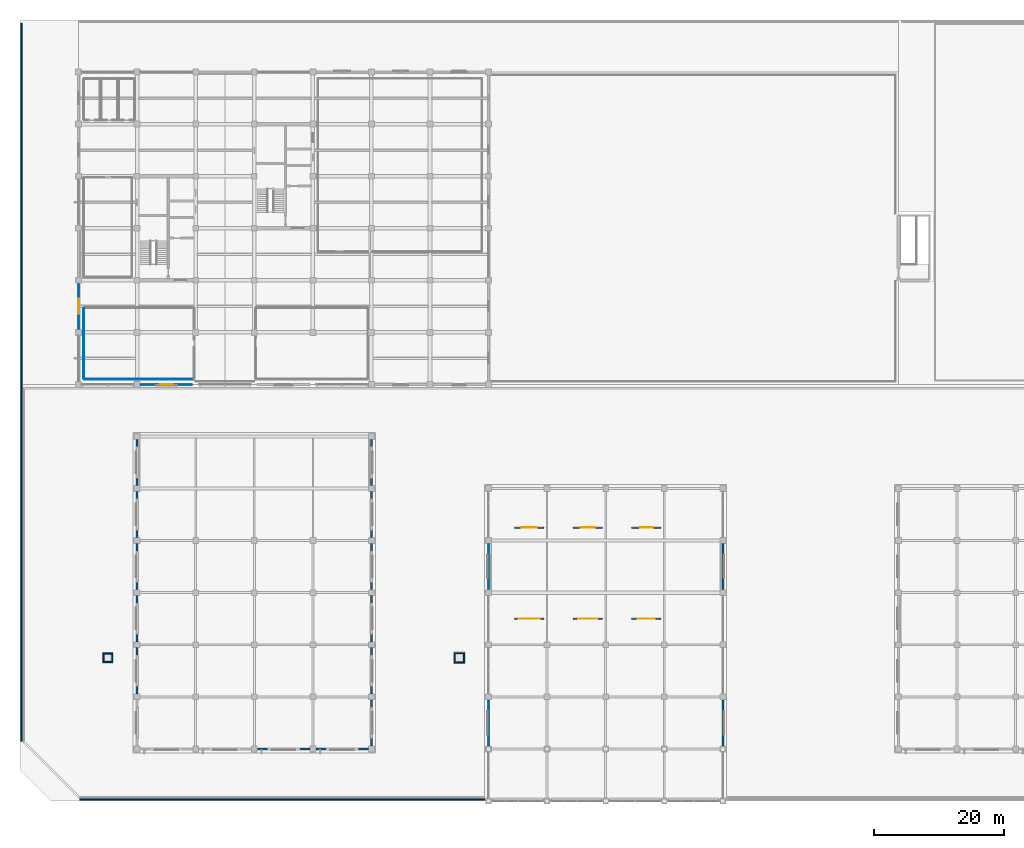
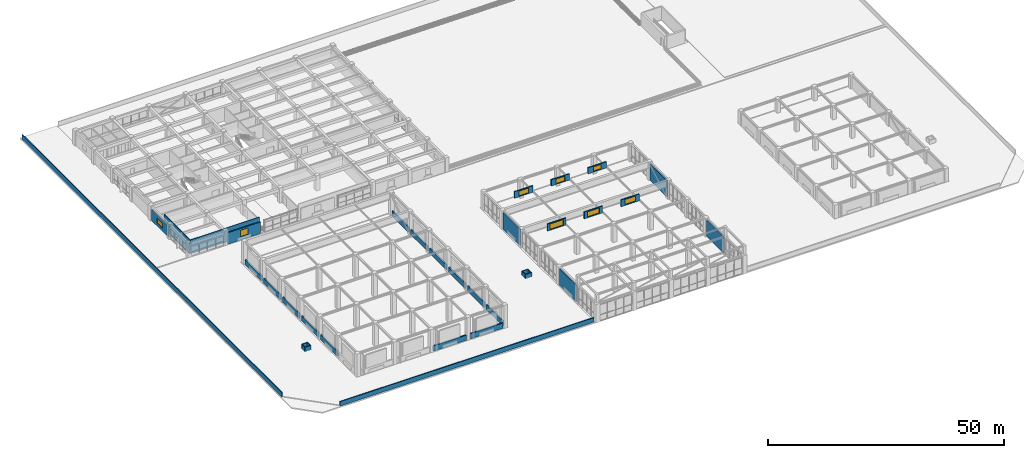
# One storey, part 19 of 34: 37 walls, 8 windows, 8 openings.
"""IFC4 building model written with IfcOpenShell, lengths in metres."""

from ifc_helpers import new_model, si_unit, direction, frame, frame_2d, origin, place, context, subcontext, project, spatial, rectangle, extrude, material, layer, layer_set, type_object, element, fill, save


model = new_model("IFC4")

# Units and contexts
model_context = context("Model", 3, precision=1e-05, world=origin(), true_north=direction((0.0, 1.0)))
body_context = subcontext(model_context, "Body", "Model", "MODEL_VIEW")
ifc_project = project(units=[si_unit("LENGTHUNIT", "METRE"), si_unit("AREAUNIT", "SQUARE_METRE"), si_unit("VOLUMEUNIT", "CUBIC_METRE"), si_unit("PLANEANGLEUNIT", "RADIAN"), si_unit("MASSUNIT", "GRAM", prefix="KILO")], contexts=[model_context])

# Site, building, storey
site_placement = place(None, origin())
site = spatial("IfcSite", under=ifc_project, at=site_placement, CompositionType="ELEMENT")
building_placement = place(site_placement, origin())
building = spatial("IfcBuilding", under=site, at=building_placement, Name="Zaverband Oceanarium and Marine Research Institute", CompositionType="ELEMENT")
storey_placement = place(building_placement, frame((0.0, 0.0, 18.0)))
storey = spatial("IfcBuildingStorey", under=building, at=storey_placement, Name="L04", CompositionType="ELEMENT", Elevation=18.0)

# Wall, opening, window
ifc_material_1 = material(Name="Concrete C40/50", Category="concrete")
ifc_layer_1 = layer(ifc_material_1, 0.2451171875, Name="Concrete C40/50")
ifc_layer_set_1 = layer_set([ifc_layer_1], Name="Concrete C40/50")
wall_type_1 = type_object("IfcWallType", Name="CRB-245", PredefinedType="PARAPET", material=ifc_layer_set_1)
wall_1_placement = place(storey_placement, frame((76.0, 28.0, 5.10009765625), z_axis=(0.0, 0.0, 1.0), x_axis=(1.0, 0.0, 0.0)))
wall_1 = element("IfcWall", 1, at=wall_1_placement, inside=storey, type_object=wall_type_1, Name="Roof parapet upstand CRB-245", PredefinedType="PARAPET", context=body_context, shape_type="SweptSolid", body=[
    extrude(rectangle(XDim=4.5, YDim=0.2451171875, at=frame_2d((2.25, 0.0))), origin(), (0.0, 0.0, 1.0), 1.849853515625),
])
opening_1_placement = place(wall_1_placement, frame((0.64990234375, 0.0, 0.219970703125)))
opening_1 = element("IfcOpeningElement", 2, at=opening_1_placement, cuts=wall_1, Name="Opening SKY-3200x1400", PredefinedType="OPENING", context=body_context, shape_type="SweptSolid", body=[
    extrude(rectangle(XDim=3.199951171875, YDim=1.39990234375, at=frame_2d((1.60009765625, 0.699951171875))), frame((0.0, 0.134521484375, 0.0), z_axis=(0.0, -1.0, 0.0), x_axis=(1.0, 0.0, 0.0)), (0.0, 0.0, 1.0), 0.26904296875),
])
ifc_material_2 = material(Name="Thermally broken aluminium and laminated solar-control glass", Category="aluminium")
window_type_1 = type_object("IfcWindowType", Name="SKY-3200x1400", PartitioningType="SINGLE_PANEL", PredefinedType="SKYLIGHT", material=ifc_material_2)
window_1_placement = place(opening_1_placement, origin())
window_1 = element("IfcWindow", 3, at=window_1_placement, inside=storey, type_object=window_type_1, Name="Insulated roof skylight SKY-3200x1400", OverallHeight=1.39990234375, OverallWidth=3.199951171875, PartitioningType="SINGLE_PANEL", PredefinedType="SKYLIGHT", context=body_context, shape_type="SweptSolid", body=[
    extrude(rectangle(XDim=3.199951171875, YDim=1.39990234375, at=frame_2d((1.60009765625, 0.699951171875))), frame((0.0, 0.030029296875, 0.0), z_axis=(0.0, -1.0, 0.0), x_axis=(1.0, 0.0, 0.0)), (0.0, 0.0, 1.0), 0.06005859375),
])
fill(opening_1, window_1)

wall_2_placement = place(storey_placement, frame((85.0, 28.0, 5.10009765625), z_axis=(0.0, 0.0, 1.0), x_axis=(1.0, 0.0, 0.0)))
wall_2 = element("IfcWall", 4, at=wall_2_placement, inside=storey, type_object=wall_type_1, Name="Roof parapet upstand CRB-245", PredefinedType="PARAPET", context=body_context, shape_type="SweptSolid", body=[
    extrude(rectangle(XDim=4.5, YDim=0.2451171875, at=frame_2d((2.25, 0.0))), origin(), (0.0, 0.0, 1.0), 1.7998046875),
])
opening_2_placement = place(wall_2_placement, frame((0.800048828125, 0.0, 0.219970703125)))
opening_2 = element("IfcOpeningElement", 5, at=opening_2_placement, cuts=wall_2, Name="Opening SKY-2900x1350", PredefinedType="OPENING", context=body_context, shape_type="SweptSolid", body=[
    extrude(rectangle(XDim=2.89990234375, YDim=1.35009765625, at=frame_2d((1.449951171875, 0.675048828125))), frame((0.0, 0.134521484375, 0.0), z_axis=(0.0, -1.0, 0.0), x_axis=(1.0, 0.0, 0.0)), (0.0, 0.0, 1.0), 0.26904296875),
])
window_type_2 = type_object("IfcWindowType", Name="SKY-2900x1350", PartitioningType="SINGLE_PANEL", PredefinedType="SKYLIGHT", material=ifc_material_2)
window_2_placement = place(opening_2_placement, origin())
window_2 = element("IfcWindow", 6, at=window_2_placement, inside=storey, type_object=window_type_2, Name="Insulated roof skylight SKY-2900x1350", OverallHeight=1.35009765625, OverallWidth=2.89990234375, PartitioningType="SINGLE_PANEL", PredefinedType="SKYLIGHT", context=body_context, shape_type="SweptSolid", body=[
    extrude(rectangle(XDim=2.89990234375, YDim=1.35009765625, at=frame_2d((1.449951171875, 0.675048828125))), frame((0.0, 0.030029296875, 0.0), z_axis=(0.0, -1.0, 0.0), x_axis=(1.0, 0.0, 0.0)), (0.0, 0.0, 1.0), 0.06005859375),
])
fill(opening_2, window_2)

wall_3_placement = place(storey_placement, frame((94.0, 28.0, 5.10009765625), z_axis=(0.0, 0.0, 1.0), x_axis=(1.0, 0.0, 0.0)))
wall_3 = element("IfcWall", 7, at=wall_3_placement, inside=storey, type_object=wall_type_1, Name="Roof parapet upstand CRB-245", PredefinedType="PARAPET", context=body_context, shape_type="SweptSolid", body=[
    extrude(rectangle(XDim=4.5, YDim=0.2451171875, at=frame_2d((2.25, 0.0))), origin(), (0.0, 0.0, 1.0), 1.75),
])
opening_3_placement = place(wall_3_placement, frame((0.949951171875, 0.0, 0.219970703125)))
opening_3 = element("IfcOpeningElement", 8, at=opening_3_placement, cuts=wall_3, Name="Opening SKY-2600x1300", PredefinedType="OPENING", context=body_context, shape_type="SweptSolid", body=[
    extrude(rectangle(XDim=2.60009765625, YDim=1.300048828125, at=frame_2d((1.300048828125, 0.64990234375))), frame((0.0, 0.134521484375, 0.0), z_axis=(0.0, -1.0, 0.0), x_axis=(1.0, 0.0, 0.0)), (0.0, 0.0, 1.0), 0.26904296875),
])
window_type_3 = type_object("IfcWindowType", Name="SKY-2600x1300", PartitioningType="SINGLE_PANEL", PredefinedType="SKYLIGHT", material=ifc_material_2)
window_3_placement = place(opening_3_placement, origin())
window_3 = element("IfcWindow", 9, at=window_3_placement, inside=storey, type_object=window_type_3, Name="Insulated roof skylight SKY-2600x1300", OverallHeight=1.300048828125, OverallWidth=2.60009765625, PartitioningType="SINGLE_PANEL", PredefinedType="SKYLIGHT", context=body_context, shape_type="SweptSolid", body=[
    extrude(rectangle(XDim=2.60009765625, YDim=1.300048828125, at=frame_2d((1.300048828125, 0.64990234375))), frame((0.0, 0.030029296875, 0.0), z_axis=(0.0, -1.0, 0.0), x_axis=(1.0, 0.0, 0.0)), (0.0, 0.0, 1.0), 0.06005859375),
])
fill(opening_3, window_3)

wall_4_placement = place(storey_placement, frame((76.0, 42.0, 5.10009765625), z_axis=(0.0, 0.0, 1.0), x_axis=(1.0, 0.0, 0.0)))
wall_4 = element("IfcWall", 10, at=wall_4_placement, inside=storey, type_object=wall_type_1, Name="Roof parapet upstand CRB-245", PredefinedType="PARAPET", context=body_context, shape_type="SweptSolid", body=[
    extrude(rectangle(XDim=4.5, YDim=0.2451171875, at=frame_2d((2.25, 0.0))), origin(), (0.0, 0.0, 1.0), 1.699951171875),
])
opening_4_placement = place(wall_4_placement, frame((1.074951171875, 0.0, 0.219970703125)))
opening_4 = element("IfcOpeningElement", 11, at=opening_4_placement, cuts=wall_4, Name="Opening SKY-2350x1250", PredefinedType="OPENING", context=body_context, shape_type="SweptSolid", body=[
    extrude(rectangle(XDim=2.35009765625, YDim=1.25, at=frame_2d((1.175048828125, 0.625))), frame((0.0, 0.134521484375, 0.0), z_axis=(0.0, -1.0, 0.0), x_axis=(1.0, 0.0, 0.0)), (0.0, 0.0, 1.0), 0.26904296875),
])
window_type_4 = type_object("IfcWindowType", Name="SKY-2350x1250", PartitioningType="SINGLE_PANEL", PredefinedType="SKYLIGHT", material=ifc_material_2)
window_4_placement = place(opening_4_placement, origin())
window_4 = element("IfcWindow", 12, at=window_4_placement, inside=storey, type_object=window_type_4, Name="Insulated roof skylight SKY-2350x1250", OverallHeight=1.25, OverallWidth=2.35009765625, PartitioningType="SINGLE_PANEL", PredefinedType="SKYLIGHT", context=body_context, shape_type="SweptSolid", body=[
    extrude(rectangle(XDim=2.35009765625, YDim=1.25, at=frame_2d((1.175048828125, 0.625))), frame((0.0, 0.030029296875, 0.0), z_axis=(0.0, -1.0, 0.0), x_axis=(1.0, 0.0, 0.0)), (0.0, 0.0, 1.0), 0.06005859375),
])
fill(opening_4, window_4)

wall_5_placement = place(storey_placement, frame((85.0, 42.0, 5.10009765625), z_axis=(0.0, 0.0, 1.0), x_axis=(1.0, 0.0, 0.0)))
wall_5 = element("IfcWall", 13, at=wall_5_placement, inside=storey, type_object=wall_type_1, Name="Roof parapet upstand CRB-245", PredefinedType="PARAPET", context=body_context, shape_type="SweptSolid", body=[
    extrude(rectangle(XDim=4.5, YDim=0.2451171875, at=frame_2d((2.25, 0.0))), origin(), (0.0, 0.0, 1.0), 1.64990234375),
])
opening_5_placement = place(wall_5_placement, frame((1.199951171875, 0.0, 0.219970703125)))
opening_5 = element("IfcOpeningElement", 14, at=opening_5_placement, cuts=wall_5, Name="Opening SKY-2100x1200", PredefinedType="OPENING", context=body_context, shape_type="SweptSolid", body=[
    extrude(rectangle(XDim=2.10009765625, YDim=1.199951171875, at=frame_2d((1.050048828125, 0.60009765625))), frame((0.0, 0.134521484375, 0.0), z_axis=(0.0, -1.0, 0.0), x_axis=(1.0, 0.0, 0.0)), (0.0, 0.0, 1.0), 0.26904296875),
])
window_type_5 = type_object("IfcWindowType", Name="SKY-2100x1200", PartitioningType="SINGLE_PANEL", PredefinedType="SKYLIGHT", material=ifc_material_2)
window_5_placement = place(opening_5_placement, origin())
window_5 = element("IfcWindow", 15, at=window_5_placement, inside=storey, type_object=window_type_5, Name="Insulated roof skylight SKY-2100x1200", OverallHeight=1.199951171875, OverallWidth=2.10009765625, PartitioningType="SINGLE_PANEL", PredefinedType="SKYLIGHT", context=body_context, shape_type="SweptSolid", body=[
    extrude(rectangle(XDim=2.10009765625, YDim=1.199951171875, at=frame_2d((1.050048828125, 0.60009765625))), frame((0.0, 0.030029296875, 0.0), z_axis=(0.0, -1.0, 0.0), x_axis=(1.0, 0.0, 0.0)), (0.0, 0.0, 1.0), 0.06005859375),
])
fill(opening_5, window_5)

wall_6_placement = place(storey_placement, frame((94.0, 42.0, 5.10009765625), z_axis=(0.0, 0.0, 1.0), x_axis=(1.0, 0.0, 0.0)))
wall_6 = element("IfcWall", 16, at=wall_6_placement, inside=storey, type_object=wall_type_1, Name="Roof parapet upstand CRB-245", PredefinedType="PARAPET", context=body_context, shape_type="SweptSolid", body=[
    extrude(rectangle(XDim=4.5, YDim=0.2451171875, at=frame_2d((2.25, 0.0))), origin(), (0.0, 0.0, 1.0), 1.599853515625),
])
opening_6_placement = place(wall_6_placement, frame((1.300048828125, 0.0, 0.219970703125)))
opening_6 = element("IfcOpeningElement", 17, at=opening_6_placement, cuts=wall_6, Name="Opening SKY-1900x1150", PredefinedType="OPENING", context=body_context, shape_type="SweptSolid", body=[
    extrude(rectangle(XDim=1.89990234375, YDim=1.14990234375, at=frame_2d((0.949951171875, 0.574951171875))), frame((0.0, 0.134521484375, 0.0), z_axis=(0.0, -1.0, 0.0), x_axis=(1.0, 0.0, 0.0)), (0.0, 0.0, 1.0), 0.26904296875),
])
window_type_6 = type_object("IfcWindowType", Name="SKY-1900x1150", PartitioningType="SINGLE_PANEL", PredefinedType="SKYLIGHT", material=ifc_material_2)
window_6_placement = place(opening_6_placement, origin())
window_6 = element("IfcWindow", 18, at=window_6_placement, inside=storey, type_object=window_type_6, Name="Insulated roof skylight SKY-1900x1150", OverallHeight=1.14990234375, OverallWidth=1.89990234375, PartitioningType="SINGLE_PANEL", PredefinedType="SKYLIGHT", context=body_context, shape_type="SweptSolid", body=[
    extrude(rectangle(XDim=1.89990234375, YDim=1.14990234375, at=frame_2d((0.949951171875, 0.574951171875))), frame((0.0, 0.030029296875, 0.0), z_axis=(0.0, -1.0, 0.0), x_axis=(1.0, 0.0, 0.0)), (0.0, 0.0, 1.0), 0.06005859375),
])
fill(opening_6, window_6)

ifc_material_3 = material(Name="Concrete C40/50 precast", Category="concrete")
ifc_layer_2 = layer(ifc_material_3, 0.264892578125, Name="Concrete C40/50 precast")
ifc_layer_set_2 = layer_set([ifc_layer_2], Name="Concrete C40/50 precast")
wall_type_2 = type_object("IfcWallType", Name="EW-265", PredefinedType="STANDARD", material=ifc_layer_set_2)
wall_7_placement = place(storey_placement, frame((18.455078125, 64.0, 0.0), z_axis=(0.0, 0.0, 1.0), x_axis=(1.0, 0.0, 0.0)))
wall_7 = element("IfcWall", 19, at=wall_7_placement, inside=storey, type_object=wall_type_2, Name="Exterior infill wall EW-265", PredefinedType="STANDARD", context=body_context, shape_type="SweptSolid", body=[
    extrude(rectangle(XDim=8.08984375, YDim=0.264892578125, at=frame_2d((4.044921875, 0.0))), origin(), (0.0, 0.0, 1.0), 2.97998046875),
])
opening_7_placement = place(wall_7_placement, frame((3.094970703125, 0.0, 0.85009765625)))
opening_7 = element("IfcOpeningElement", 20, at=opening_7_placement, cuts=wall_7, Name="Opening WN-1900x1650", PredefinedType="OPENING", context=body_context, shape_type="SweptSolid", body=[
    extrude(rectangle(XDim=1.89990234375, YDim=1.64990234375, at=frame_2d((0.949951171875, 0.824951171875))), frame((0.0, 0.14453125, 0.0), z_axis=(0.0, -1.0, 0.0), x_axis=(1.0, 0.0, 0.0)), (0.0, 0.0, 1.0), 0.288818359375),
])
ifc_material_4 = material(Name="Thermally broken anodized aluminium and solar-control glass", Category="aluminium")
window_type_7 = type_object("IfcWindowType", Name="WN-1900x1650", PartitioningType="SINGLE_PANEL", PredefinedType="WINDOW", material=ifc_material_4)
window_7_placement = place(opening_7_placement, origin())
window_7 = element("IfcWindow", 21, at=window_7_placement, inside=storey, type_object=window_type_7, Name="Fixed / casement exterior window WN-1900x1650", OverallHeight=1.64990234375, OverallWidth=1.89990234375, PartitioningType="SINGLE_PANEL", PredefinedType="WINDOW", context=body_context, shape_type="SweptSolid", body=[
    extrude(rectangle(XDim=1.89990234375, YDim=1.64990234375, at=frame_2d((0.949951171875, 0.824951171875))), frame((0.0, 0.030029296875, 0.0), z_axis=(0.0, -1.0, 0.0), x_axis=(1.0, 0.0, 0.0)), (0.0, 0.0, 1.0), 0.06005859375),
])
fill(opening_7, window_7)

wall_8_placement = place(storey_placement, frame((9.0, 72.455078125, 0.0), z_axis=(0.0, 0.0, 1.0), x_axis=(0.0, 1.0, 0.0)))
wall_8 = element("IfcWall", 22, at=wall_8_placement, inside=storey, type_object=wall_type_2, Name="Exterior infill wall EW-265", PredefinedType="STANDARD", context=body_context, shape_type="SweptSolid", body=[
    extrude(rectangle(XDim=7.08984375, YDim=0.264892578125, at=frame_2d((3.544921875, 0.0))), origin(), (0.0, 0.0, 1.0), 2.97998046875),
])
opening_8_placement = place(wall_8_placement, frame((2.39501953125, 0.0, 0.85009765625)))
opening_8 = element("IfcOpeningElement", 23, at=opening_8_placement, cuts=wall_8, Name="Opening WN-2300x1200", PredefinedType="OPENING", context=body_context, shape_type="SweptSolid", body=[
    extrude(rectangle(XDim=2.300048828125, YDim=1.199951171875, at=frame_2d((1.14990234375, 0.60009765625))), frame((0.0, 0.14453125, 0.0), z_axis=(0.0, -1.0, 0.0), x_axis=(1.0, 0.0, 0.0)), (0.0, 0.0, 1.0), 0.288818359375),
])
window_type_8 = type_object("IfcWindowType", Name="WN-2300x1200", PartitioningType="SINGLE_PANEL", PredefinedType="WINDOW", material=ifc_material_4)
window_8_placement = place(opening_8_placement, origin())
window_8 = element("IfcWindow", 24, at=window_8_placement, inside=storey, type_object=window_type_8, Name="Fixed / casement exterior window WN-2300x1200", OverallHeight=1.199951171875, OverallWidth=2.300048828125, PartitioningType="SINGLE_PANEL", PredefinedType="WINDOW", context=body_context, shape_type="SweptSolid", body=[
    extrude(rectangle(XDim=2.300048828125, YDim=1.199951171875, at=frame_2d((1.14990234375, 0.60009765625))), frame((0.0, 0.030029296875, 0.0), z_axis=(0.0, -1.0, 0.0), x_axis=(1.0, 0.0, 0.0)), (0.0, 0.0, 1.0), 0.06005859375),
])
fill(opening_8, window_8)

# Walls
ifc_layer_3 = layer(ifc_material_3, 0.31005859375, Name="Concrete C40/50 precast")
ifc_layer_set_3 = layer_set([ifc_layer_3], Name="Concrete C40/50 precast")
wall_type_3 = type_object("IfcWallType", Name="EW-310", PredefinedType="STANDARD", material=ifc_layer_set_3)
for number, where, z_axis, x_axis, name in (
    (25, (36.4599609375, 8.0, 0.0), (0.0, 0.0, 1.0), (1.0, 0.0, 0.0), "Exterior infill wall EW-310"),
    (26, (45.4599609375, 8.0, 0.0), (0.0, 0.0, 1.0), (1.0, 0.0, 0.0), "Exterior infill wall EW-310"),
):
    element("IfcWall", number, at=place(storey_placement, frame(where, z_axis=z_axis, x_axis=x_axis)), inside=storey, type_object=wall_type_3, Name=name, PredefinedType="STANDARD", context=body_context, shape_type="SweptSolid", body=[
        extrude(rectangle(XDim=8.080078125, YDim=0.31005859375, at=frame_2d((4.0400390625, 0.0))), origin(), (0.0, 0.0, 1.0), 1.35009765625),
    ])
for number, where, z_axis, x_axis, name in (
    (27, (18.0, 16.4599609375, 0.0), (0.0, 0.0, 1.0), (0.0, 1.0, 0.0), "Exterior infill wall EW-310"),
    (28, (18.0, 24.4599609375, 0.0), (0.0, 0.0, 1.0), (0.0, 1.0, 0.0), "Exterior infill wall EW-310"),
    (29, (18.0, 32.4599609375, 0.0), (0.0, 0.0, 1.0), (0.0, 1.0, 0.0), "Exterior infill wall EW-310"),
    (30, (18.0, 40.4599609375, 0.0), (0.0, 0.0, 1.0), (0.0, 1.0, 0.0), "Exterior infill wall EW-310"),
    (31, (18.0, 48.4599609375, 0.0), (0.0, 0.0, 1.0), (0.0, 1.0, 0.0), "Exterior infill wall EW-310"),
    (32, (54.0, 8.4599609375, 0.0), (0.0, 0.0, 1.0), (0.0, 1.0, 0.0), "Exterior infill wall EW-310"),
    (33, (54.0, 16.4599609375, 0.0), (0.0, 0.0, 1.0), (0.0, 1.0, 0.0), "Exterior infill wall EW-310"),
    (34, (54.0, 24.4599609375, 0.0), (0.0, 0.0, 1.0), (0.0, 1.0, 0.0), "Exterior infill wall EW-310"),
    (35, (54.0, 32.4599609375, 0.0), (0.0, 0.0, 1.0), (0.0, 1.0, 0.0), "Exterior infill wall EW-310"),
    (36, (54.0, 40.4599609375, 0.0), (0.0, 0.0, 1.0), (0.0, 1.0, 0.0), "Exterior infill wall EW-310"),
    (37, (54.0, 48.4599609375, 0.0), (0.0, 0.0, 1.0), (0.0, 1.0, 0.0), "Exterior infill wall EW-310"),
):
    element("IfcWall", number, at=place(storey_placement, frame(where, z_axis=z_axis, x_axis=x_axis)), inside=storey, type_object=wall_type_3, Name=name, PredefinedType="STANDARD", context=body_context, shape_type="SweptSolid", body=[
        extrude(rectangle(XDim=7.080078125, YDim=0.31005859375, at=frame_2d((3.5400390625, 0.0))), origin(), (0.0, 0.0, 1.0), 1.35009765625),
    ])
for number, where, z_axis, x_axis, name in (
    (38, (72.0, 8.4599609375, 0.0), (0.0, 0.0, 1.0), (0.0, 1.0, 0.0), "Exterior infill wall EW-310"),
    (39, (72.0, 32.4599609375, 0.0), (0.0, 0.0, 1.0), (0.0, 1.0, 0.0), "Exterior infill wall EW-310"),
    (40, (108.0, 8.4599609375, 0.0), (0.0, 0.0, 1.0), (0.0, 1.0, 0.0), "Exterior infill wall EW-310"),
    (41, (108.0, 32.4599609375, 0.0), (0.0, 0.0, 1.0), (0.0, 1.0, 0.0), "Exterior infill wall EW-310"),
):
    element("IfcWall", number, at=place(storey_placement, frame(where, z_axis=z_axis, x_axis=x_axis)), inside=storey, type_object=wall_type_3, Name=name, PredefinedType="STANDARD", context=body_context, shape_type="SweptSolid", body=[
        extrude(rectangle(XDim=7.080078125, YDim=0.31005859375, at=frame_2d((3.5400390625, 0.0))), origin(), (0.0, 0.0, 1.0), 4.300048828125),
    ])
ifc_layer_4 = layer(ifc_material_1, 0.195068359375, Name="Concrete C40/50")
ifc_layer_set_4 = layer_set([ifc_layer_4], Name="Concrete C40/50")
wall_type_4 = type_object("IfcWallType", Name="PAR-195", PredefinedType="PARAPET", material=ifc_layer_set_4)
for number, where, z_axis, x_axis, name in (
    (42, (12.742431640625, 21.340087890625, 0.0), (0.0, 0.0, 1.0), (1.0, 0.0, 0.0), "Roof parapet upstand PAR-195"),
    (43, (12.742431640625, 22.659912109375, 0.0), (0.0, 0.0, 1.0), (1.0, 0.0, 0.0), "Roof parapet upstand PAR-195"),
):
    element("IfcWall", number, at=place(storey_placement, frame(where, z_axis=z_axis, x_axis=x_axis)), inside=storey, type_object=wall_type_4, Name=name, PredefinedType="PARAPET", context=body_context, shape_type="SweptSolid", body=[
        extrude(rectangle(XDim=1.51513671875, YDim=0.195068359375, at=frame_2d((0.757568359375, 0.0))), origin(), (0.0, 0.0, 1.0), 1.14990234375),
    ])
for number, where, z_axis, x_axis, name in (
    (44, (12.840087890625, 21.4375, 0.0), (0.0, 0.0, 1.0), (0.0, 1.0, 0.0), "Roof parapet upstand PAR-195"),
    (45, (14.159912109375, 21.4375, 0.0), (0.0, 0.0, 1.0), (0.0, 1.0, 0.0), "Roof parapet upstand PAR-195"),
):
    element("IfcWall", number, at=place(storey_placement, frame(where, z_axis=z_axis, x_axis=x_axis)), inside=storey, type_object=wall_type_4, Name=name, PredefinedType="PARAPET", context=body_context, shape_type="SweptSolid", body=[
        extrude(rectangle(XDim=1.125, YDim=0.195068359375, at=frame_2d((0.5625, 0.0))), origin(), (0.0, 0.0, 1.0), 1.14990234375),
    ])
for number, where, z_axis, x_axis, name in (
    (46, (66.6923828125, 21.2900390625, 0.0), (0.0, 0.0, 1.0), (1.0, 0.0, 0.0), "Roof parapet upstand PAR-195"),
    (47, (66.6923828125, 22.7099609375, 0.0), (0.0, 0.0, 1.0), (1.0, 0.0, 0.0), "Roof parapet upstand PAR-195"),
):
    element("IfcWall", number, at=place(storey_placement, frame(where, z_axis=z_axis, x_axis=x_axis)), inside=storey, type_object=wall_type_4, Name=name, PredefinedType="PARAPET", context=body_context, shape_type="SweptSolid", body=[
        extrude(rectangle(XDim=1.615234375, YDim=0.195068359375, at=frame_2d((0.8076171875, 0.0))), origin(), (0.0, 0.0, 1.0), 1.14990234375),
    ])
for number, where, z_axis, x_axis, name in (
    (48, (66.7900390625, 21.387451171875, 0.0), (0.0, 0.0, 1.0), (0.0, 1.0, 0.0), "Roof parapet upstand PAR-195"),
    (49, (68.2099609375, 21.387451171875, 0.0), (0.0, 0.0, 1.0), (0.0, 1.0, 0.0), "Roof parapet upstand PAR-195"),
):
    element("IfcWall", number, at=place(storey_placement, frame(where, z_axis=z_axis, x_axis=x_axis)), inside=storey, type_object=wall_type_4, Name=name, PredefinedType="PARAPET", context=body_context, shape_type="SweptSolid", body=[
        extrude(rectangle(XDim=1.22509765625, YDim=0.195068359375, at=frame_2d((0.612548828125, 0.0))), origin(), (0.0, 0.0, 1.0), 1.14990234375),
    ])
wall_9_placement = place(storey_placement, frame((0.25, 9.199951171875, 0.0), z_axis=(0.0, 0.0, 1.0), x_axis=(0.0, 1.0, 0.0)))
element("IfcWall", 50, at=wall_9_placement, inside=storey, type_object=wall_type_4, Name="Roof parapet upstand PAR-195", PredefinedType="PARAPET", context=body_context, shape_type="SweptSolid", body=[
    extrude(rectangle(XDim=110.300048828125, YDim=0.195068359375, at=frame_2d((55.14990234375, 0.0))), origin(), (0.0, 0.0, 1.0), 1.14990234375),
])
ifc_layer_5 = layer(ifc_material_1, 0.22998046875, Name="Concrete C40/50")
ifc_layer_set_5 = layer_set([ifc_layer_5], Name="Concrete C40/50")
wall_type_5 = type_object("IfcWallType", Name="PAR-230", PredefinedType="PARAPET", material=ifc_layer_set_5)
wall_10_placement = place(storey_placement, frame((9.199951171875, 0.25, 0.0), z_axis=(0.0, 0.0, 1.0), x_axis=(1.0, 0.0, 0.0)))
element("IfcWall", 51, at=wall_10_placement, inside=storey, type_object=wall_type_5, Name="Roof parapet upstand PAR-230", PredefinedType="PARAPET", context=body_context, shape_type="SweptSolid", body=[
    extrude(rectangle(XDim=62.199951171875, YDim=0.22998046875, at=frame_2d((31.10009765625, 0.0))), origin(), (0.0, 0.0, 1.0), 1.14990234375),
])
ifc_material_5 = material(Name="Archive fire-lined partition")
ifc_layer_6 = layer(ifc_material_5, 0.1298828125, Name="Archive fire-lined partition")
ifc_layer_set_6 = layer_set([ifc_layer_6], Name="Archive fire-lined partition")
wall_type_6 = type_object("IfcWallType", Name="PT-130-AR", PredefinedType="PARTITIONING", material=ifc_layer_set_6)
wall_11_placement = place(storey_placement, frame((9.864990234375, 64.800048828125, 0.0), z_axis=(0.0, 0.0, 1.0), x_axis=(1.0, 0.0, 0.0)))
element("IfcWall", 52, at=wall_11_placement, inside=storey, type_object=wall_type_6, Name="Internal partition PT-130-AR", PredefinedType="PARTITIONING", context=body_context, shape_type="SweptSolid", body=[
    extrude(rectangle(XDim=16.8701171875, YDim=0.1298828125, at=frame_2d((8.43505859375, 0.0))), origin(), (0.0, 0.0, 1.0), 3.64990234375),
])
wall_12_placement = place(storey_placement, frame((9.800048828125, 64.864990234375, 0.0), z_axis=(0.0, 0.0, 1.0), x_axis=(0.0, 1.0, 0.0)))
element("IfcWall", 53, at=wall_12_placement, inside=storey, type_object=wall_type_6, Name="Internal partition PT-130-AR", PredefinedType="PARTITIONING", context=body_context, shape_type="SweptSolid", body=[
    extrude(rectangle(XDim=10.8701171875, YDim=0.1298828125, at=frame_2d((5.43505859375, 0.0))), origin(), (0.0, 0.0, 1.0), 3.64990234375),
])

save(model, "model.ifc")
